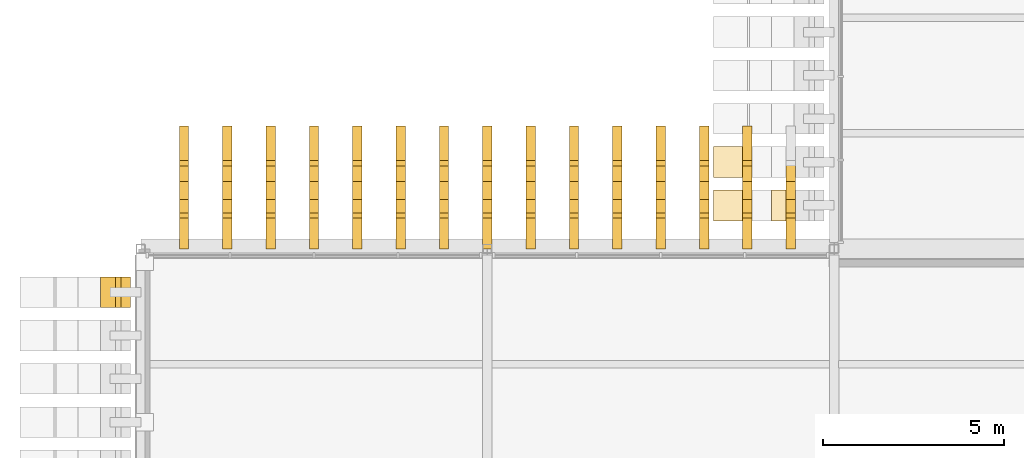
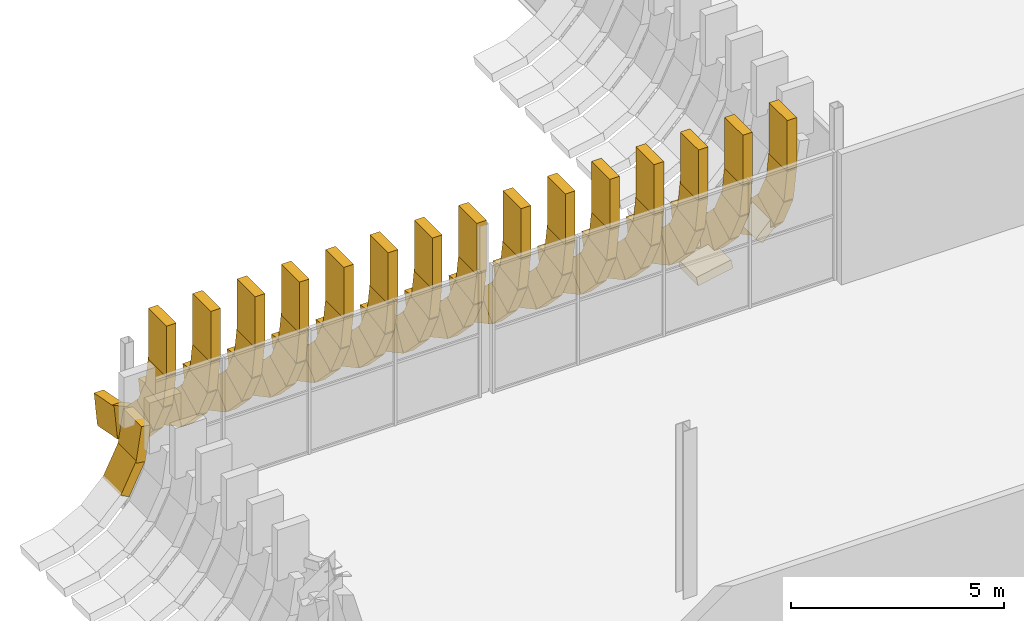
# One storey, part 78 of 100: 94 coverings.
"""IFC4 building model written with IfcOpenShell, lengths in metres."""

from ifc_helpers import new_model, si_unit, direction, frame, origin, origin_2d, place, context, subcontext, project, spatial, rectangle, extrude, material, material_profile, profile_set, type_object, element, save


model = new_model("IFC4")

# Units and contexts
model_context = context("Model", 3, precision=1e-05, world=origin(), true_north=direction((0.0, 1.0)))
body_context = subcontext(model_context, "Body", "Model", "MODEL_VIEW")
ifc_project = project(units=[si_unit("LENGTHUNIT", "METRE"), si_unit("AREAUNIT", "SQUARE_METRE"), si_unit("VOLUMEUNIT", "CUBIC_METRE"), si_unit("PLANEANGLEUNIT", "RADIAN"), si_unit("MASSUNIT", "GRAM", prefix="KILO")], contexts=[model_context])

# Site, building, storey
site_placement = place(None, origin())
site = spatial("IfcSite", under=ifc_project, at=site_placement, CompositionType="ELEMENT")
building_placement = place(site_placement, origin())
building = spatial("IfcBuilding", under=site, at=building_placement, Name="Caelomonte Colonnade Arena", CompositionType="ELEMENT")
storey_placement = place(building_placement, origin())
storey = spatial("IfcBuildingStorey", under=building, at=storey_placement, Name="L00", CompositionType="ELEMENT", Elevation=0.0)

# Coverings
ifc_material = material(Name="Precast travertine cladding", Category="masonry")
ifc_material_profile = material_profile(ifc_material, rectangle(XDim=0.260009765625, YDim=0.85009765625, at=origin_2d()), Name="FIN260X850")
ifc_profile_set = profile_set([ifc_material_profile], Name="Precast travertine cladding")
covering_type = type_object("IfcCoveringType", Name="ENV-FN-SKIRT", PredefinedType="CLADDING", material=ifc_profile_set)
covering_1_placement = place(storey_placement, frame((-0.4140625, 85.199951171875, 3.474609375), z_axis=(-0.153076342973, 0.0, -0.988214366027), x_axis=(-0.988214366027, 0.0, 0.153076342973)))
element("IfcCovering", 1, at=covering_1_placement, inside=storey, type_object=covering_type, Name="V5 L00 splayed classical fin skirt chord 1 (1)", PredefinedType="CLADDING", context=body_context, shape_type="SweptSolid", body=[
    extrude(rectangle(XDim=0.260009765625, YDim=0.85009765625, at=origin_2d()), origin(), (0.0, 0.0, 1.0), 1.008056640625),
])
covering_2_placement = place(storey_placement, frame((-0.54150390625, 85.199951171875, 2.563232421875), z_axis=(-0.44449852268, 0.0, -0.895779584125), x_axis=(-0.895779584125, 0.0, 0.44449852268)))
element("IfcCovering", 2, at=covering_2_placement, inside=storey, type_object=covering_type, Name="V5 L00 splayed classical fin skirt chord 2 (1)", PredefinedType="CLADDING", context=body_context, shape_type="SweptSolid", body=[
    extrude(rectangle(XDim=0.260009765625, YDim=0.85009765625, at=origin_2d()), origin(), (0.0, 0.0, 1.0), 1.0078125),
])
covering_3_placement = place(storey_placement, frame((18.0, 86.821044921875, 3.360107421875), z_axis=(0.0, 0.0, 1.0), x_axis=(1.0, 0.0, 0.0)))
element("IfcCovering", 3, at=covering_3_placement, inside=storey, type_object=covering_type, Name="V5 L00 upper classical fin stem 127", PredefinedType="CLADDING", context=body_context, shape_type="SweptSolid", body=[
    extrude(rectangle(XDim=0.260009765625, YDim=0.85009765625, at=origin_2d()), origin(), (0.0, 0.0, 1.0), 1.4599609375),
])
for number, where, z_axis, x_axis, name in (
    (4, (18.0, 86.814208984375, 3.474609375), (0.0, 0.15283979596, -0.988250978634), (-1.0, 0.0, 0.0), "V5 L00 splayed classical fin skirt chord 1 (127)"),
    (5, (18.0, 86.94140625, 2.563232421875), (0.0, 0.444692864571, -0.89568312265), (-1.0, 0.0, 0.0), "V5 L00 splayed classical fin skirt chord 2 (127)"),
    (6, (18.0, 87.33837890625, 1.733154296875), (0.0, 0.694646381209, -0.71935137803), (-1.0, 0.0, 0.0), "V5 L00 splayed classical fin skirt chord 3 (127)"),
    (7, (18.0, 87.967529296875, 1.061767578125), (0.0, 0.879731158529, -0.475471438379), (-1.0, 0.0, 0.0), "V5 L00 splayed classical fin skirt chord 4 (127)"),
):
    element("IfcCovering", number, at=place(storey_placement, frame(where, z_axis=z_axis, x_axis=x_axis)), inside=storey, type_object=covering_type, Name=name, PredefinedType="CLADDING", context=body_context, shape_type="SweptSolid", body=[
        extrude(rectangle(XDim=0.260009765625, YDim=0.85009765625, at=origin_2d()), origin(), (0.0, 0.0, 1.0), 1.008056640625),
    ])
covering_4_placement = place(storey_placement, frame((16.800048828125, 86.821044921875, 3.360107421875), z_axis=(0.0, 0.0, 1.0), x_axis=(1.0, 0.0, 0.0)))
element("IfcCovering", 8, at=covering_4_placement, inside=storey, type_object=covering_type, Name="V5 L00 upper classical fin stem 128", PredefinedType="CLADDING", context=body_context, shape_type="SweptSolid", body=[
    extrude(rectangle(XDim=0.260009765625, YDim=0.85009765625, at=origin_2d()), origin(), (0.0, 0.0, 1.0), 1.4599609375),
])
for number, where, z_axis, x_axis, name in (
    (9, (16.800048828125, 86.814208984375, 3.474609375), (0.0, 0.15283979596, -0.988250978634), (-1.0, 0.0, 0.0), "V5 L00 splayed classical fin skirt chord 1 (128)"),
    (10, (16.800048828125, 86.94140625, 2.563232421875), (0.0, 0.444692864571, -0.89568312265), (-1.0, 0.0, 0.0), "V5 L00 splayed classical fin skirt chord 2 (128)"),
    (11, (16.800048828125, 87.33837890625, 1.733154296875), (0.0, 0.694646381209, -0.71935137803), (-1.0, 0.0, 0.0), "V5 L00 splayed classical fin skirt chord 3 (128)"),
    (12, (16.800048828125, 87.967529296875, 1.061767578125), (0.0, 0.879731158529, -0.475471438379), (-1.0, 0.0, 0.0), "V5 L00 splayed classical fin skirt chord 4 (128)"),
):
    element("IfcCovering", number, at=place(storey_placement, frame(where, z_axis=z_axis, x_axis=x_axis)), inside=storey, type_object=covering_type, Name=name, PredefinedType="CLADDING", context=body_context, shape_type="SweptSolid", body=[
        extrude(rectangle(XDim=0.260009765625, YDim=0.85009765625, at=origin_2d()), origin(), (0.0, 0.0, 1.0), 1.008056640625),
    ])
covering_5_placement = place(storey_placement, frame((16.800048828125, 88.7705078125, 0.6123046875), z_axis=(0.0, 0.982287485173, -0.187380085582), x_axis=(-1.0, 0.0, 0.0)))
element("IfcCovering", 13, at=covering_5_placement, inside=storey, type_object=covering_type, Name="V5 L00 splayed classical fin skirt chord 5 (128)", PredefinedType="CLADDING", context=body_context, shape_type="SweptSolid", body=[
    extrude(rectangle(XDim=0.260009765625, YDim=0.85009765625, at=origin_2d()), origin(), (0.0, 0.0, 1.0), 0.962890625),
])
covering_6_placement = place(storey_placement, frame((15.60009765625, 86.821044921875, 3.360107421875), z_axis=(0.0, 0.0, 1.0), x_axis=(1.0, 0.0, 0.0)))
element("IfcCovering", 14, at=covering_6_placement, inside=storey, type_object=covering_type, Name="V5 L00 upper classical fin stem 129", PredefinedType="CLADDING", context=body_context, shape_type="SweptSolid", body=[
    extrude(rectangle(XDim=0.260009765625, YDim=0.85009765625, at=origin_2d()), origin(), (0.0, 0.0, 1.0), 1.4599609375),
])
for number, where, z_axis, x_axis, name in (
    (15, (15.60009765625, 86.814208984375, 3.474609375), (0.0, 0.15283979596, -0.988250978634), (-1.0, 0.0, 0.0), "V5 L00 splayed classical fin skirt chord 1 (129)"),
    (16, (15.60009765625, 86.94140625, 2.563232421875), (0.0, 0.444692864571, -0.89568312265), (-1.0, 0.0, 0.0), "V5 L00 splayed classical fin skirt chord 2 (129)"),
    (17, (15.60009765625, 87.33837890625, 1.733154296875), (0.0, 0.694646381209, -0.71935137803), (-1.0, 0.0, 0.0), "V5 L00 splayed classical fin skirt chord 3 (129)"),
    (18, (15.60009765625, 87.967529296875, 1.061767578125), (0.0, 0.879731158529, -0.475471438379), (-1.0, 0.0, 0.0), "V5 L00 splayed classical fin skirt chord 4 (129)"),
):
    element("IfcCovering", number, at=place(storey_placement, frame(where, z_axis=z_axis, x_axis=x_axis)), inside=storey, type_object=covering_type, Name=name, PredefinedType="CLADDING", context=body_context, shape_type="SweptSolid", body=[
        extrude(rectangle(XDim=0.260009765625, YDim=0.85009765625, at=origin_2d()), origin(), (0.0, 0.0, 1.0), 1.008056640625),
    ])
covering_7_placement = place(storey_placement, frame((15.60009765625, 88.7705078125, 0.6123046875), z_axis=(0.0, 0.982287485173, -0.187380085582), x_axis=(-1.0, 0.0, 0.0)))
element("IfcCovering", 19, at=covering_7_placement, inside=storey, type_object=covering_type, Name="V5 L00 splayed classical fin skirt chord 5 (129)", PredefinedType="CLADDING", context=body_context, shape_type="SweptSolid", body=[
    extrude(rectangle(XDim=0.260009765625, YDim=0.85009765625, at=origin_2d()), origin(), (0.0, 0.0, 1.0), 0.962890625),
])
covering_8_placement = place(storey_placement, frame((14.39990234375, 86.821044921875, 3.360107421875), z_axis=(0.0, 0.0, 1.0), x_axis=(1.0, 0.0, 0.0)))
element("IfcCovering", 20, at=covering_8_placement, inside=storey, type_object=covering_type, Name="V5 L00 upper classical fin stem 130", PredefinedType="CLADDING", context=body_context, shape_type="SweptSolid", body=[
    extrude(rectangle(XDim=0.260009765625, YDim=0.85009765625, at=origin_2d()), origin(), (0.0, 0.0, 1.0), 1.4599609375),
])
for number, where, z_axis, x_axis, name in (
    (21, (14.39990234375, 86.814208984375, 3.474609375), (0.0, 0.15283979596, -0.988250978634), (-1.0, 0.0, 0.0), "V5 L00 splayed classical fin skirt chord 1 (130)"),
    (22, (14.39990234375, 86.94140625, 2.563232421875), (0.0, 0.444692864571, -0.89568312265), (-1.0, 0.0, 0.0), "V5 L00 splayed classical fin skirt chord 2 (130)"),
    (23, (14.39990234375, 87.33837890625, 1.733154296875), (0.0, 0.694646381209, -0.71935137803), (-1.0, 0.0, 0.0), "V5 L00 splayed classical fin skirt chord 3 (130)"),
    (24, (14.39990234375, 87.967529296875, 1.061767578125), (0.0, 0.879731158529, -0.475471438379), (-1.0, 0.0, 0.0), "V5 L00 splayed classical fin skirt chord 4 (130)"),
):
    element("IfcCovering", number, at=place(storey_placement, frame(where, z_axis=z_axis, x_axis=x_axis)), inside=storey, type_object=covering_type, Name=name, PredefinedType="CLADDING", context=body_context, shape_type="SweptSolid", body=[
        extrude(rectangle(XDim=0.260009765625, YDim=0.85009765625, at=origin_2d()), origin(), (0.0, 0.0, 1.0), 1.008056640625),
    ])
covering_9_placement = place(storey_placement, frame((14.39990234375, 88.7705078125, 0.6123046875), z_axis=(0.0, 0.982287485173, -0.187380085582), x_axis=(-1.0, 0.0, 0.0)))
element("IfcCovering", 25, at=covering_9_placement, inside=storey, type_object=covering_type, Name="V5 L00 splayed classical fin skirt chord 5 (130)", PredefinedType="CLADDING", context=body_context, shape_type="SweptSolid", body=[
    extrude(rectangle(XDim=0.260009765625, YDim=0.85009765625, at=origin_2d()), origin(), (0.0, 0.0, 1.0), 0.962890625),
])
covering_10_placement = place(storey_placement, frame((13.199951171875, 86.821044921875, 3.360107421875), z_axis=(0.0, 0.0, 1.0), x_axis=(1.0, 0.0, 0.0)))
element("IfcCovering", 26, at=covering_10_placement, inside=storey, type_object=covering_type, Name="V5 L00 upper classical fin stem 131", PredefinedType="CLADDING", context=body_context, shape_type="SweptSolid", body=[
    extrude(rectangle(XDim=0.260009765625, YDim=0.85009765625, at=origin_2d()), origin(), (0.0, 0.0, 1.0), 1.4599609375),
])
for number, where, z_axis, x_axis, name in (
    (27, (13.199951171875, 86.814208984375, 3.474609375), (0.0, 0.15283979596, -0.988250978634), (-1.0, 0.0, 0.0), "V5 L00 splayed classical fin skirt chord 1 (131)"),
    (28, (13.199951171875, 86.94140625, 2.563232421875), (0.0, 0.444692864571, -0.89568312265), (-1.0, 0.0, 0.0), "V5 L00 splayed classical fin skirt chord 2 (131)"),
    (29, (13.199951171875, 87.33837890625, 1.733154296875), (0.0, 0.694646381209, -0.71935137803), (-1.0, 0.0, 0.0), "V5 L00 splayed classical fin skirt chord 3 (131)"),
    (30, (13.199951171875, 87.967529296875, 1.061767578125), (0.0, 0.879731158529, -0.475471438379), (-1.0, 0.0, 0.0), "V5 L00 splayed classical fin skirt chord 4 (131)"),
):
    element("IfcCovering", number, at=place(storey_placement, frame(where, z_axis=z_axis, x_axis=x_axis)), inside=storey, type_object=covering_type, Name=name, PredefinedType="CLADDING", context=body_context, shape_type="SweptSolid", body=[
        extrude(rectangle(XDim=0.260009765625, YDim=0.85009765625, at=origin_2d()), origin(), (0.0, 0.0, 1.0), 1.008056640625),
    ])
covering_11_placement = place(storey_placement, frame((13.199951171875, 88.7705078125, 0.6123046875), z_axis=(0.0, 0.982287485173, -0.187380085582), x_axis=(-1.0, 0.0, 0.0)))
element("IfcCovering", 31, at=covering_11_placement, inside=storey, type_object=covering_type, Name="V5 L00 splayed classical fin skirt chord 5 (131)", PredefinedType="CLADDING", context=body_context, shape_type="SweptSolid", body=[
    extrude(rectangle(XDim=0.260009765625, YDim=0.85009765625, at=origin_2d()), origin(), (0.0, 0.0, 1.0), 0.962890625),
])
covering_12_placement = place(storey_placement, frame((12.0, 86.821044921875, 3.360107421875), z_axis=(0.0, 0.0, 1.0), x_axis=(1.0, 0.0, 0.0)))
element("IfcCovering", 32, at=covering_12_placement, inside=storey, type_object=covering_type, Name="V5 L00 upper classical fin stem 132", PredefinedType="CLADDING", context=body_context, shape_type="SweptSolid", body=[
    extrude(rectangle(XDim=0.260009765625, YDim=0.85009765625, at=origin_2d()), origin(), (0.0, 0.0, 1.0), 1.4599609375),
])
for number, where, z_axis, x_axis, name in (
    (33, (12.0, 86.814208984375, 3.474609375), (0.0, 0.15283979596, -0.988250978634), (-1.0, 0.0, 0.0), "V5 L00 splayed classical fin skirt chord 1 (132)"),
    (34, (12.0, 86.94140625, 2.563232421875), (0.0, 0.444692864571, -0.89568312265), (-1.0, 0.0, 0.0), "V5 L00 splayed classical fin skirt chord 2 (132)"),
    (35, (12.0, 87.33837890625, 1.733154296875), (0.0, 0.694646381209, -0.71935137803), (-1.0, 0.0, 0.0), "V5 L00 splayed classical fin skirt chord 3 (132)"),
    (36, (12.0, 87.967529296875, 1.061767578125), (0.0, 0.879731158529, -0.475471438379), (-1.0, 0.0, 0.0), "V5 L00 splayed classical fin skirt chord 4 (132)"),
):
    element("IfcCovering", number, at=place(storey_placement, frame(where, z_axis=z_axis, x_axis=x_axis)), inside=storey, type_object=covering_type, Name=name, PredefinedType="CLADDING", context=body_context, shape_type="SweptSolid", body=[
        extrude(rectangle(XDim=0.260009765625, YDim=0.85009765625, at=origin_2d()), origin(), (0.0, 0.0, 1.0), 1.008056640625),
    ])
covering_13_placement = place(storey_placement, frame((12.0, 88.7705078125, 0.6123046875), z_axis=(0.0, 0.982287485173, -0.187380085582), x_axis=(-1.0, 0.0, 0.0)))
element("IfcCovering", 37, at=covering_13_placement, inside=storey, type_object=covering_type, Name="V5 L00 splayed classical fin skirt chord 5 (132)", PredefinedType="CLADDING", context=body_context, shape_type="SweptSolid", body=[
    extrude(rectangle(XDim=0.260009765625, YDim=0.85009765625, at=origin_2d()), origin(), (0.0, 0.0, 1.0), 0.962890625),
])
covering_14_placement = place(storey_placement, frame((10.800048828125, 86.821044921875, 3.360107421875), z_axis=(0.0, 0.0, 1.0), x_axis=(1.0, 0.0, 0.0)))
element("IfcCovering", 38, at=covering_14_placement, inside=storey, type_object=covering_type, Name="V5 L00 upper classical fin stem 133", PredefinedType="CLADDING", context=body_context, shape_type="SweptSolid", body=[
    extrude(rectangle(XDim=0.260009765625, YDim=0.85009765625, at=origin_2d()), origin(), (0.0, 0.0, 1.0), 1.4599609375),
])
for number, where, z_axis, x_axis, name in (
    (39, (10.800048828125, 86.814208984375, 3.474609375), (0.0, 0.15283979596, -0.988250978634), (-1.0, 0.0, 0.0), "V5 L00 splayed classical fin skirt chord 1 (133)"),
    (40, (10.800048828125, 86.94140625, 2.563232421875), (0.0, 0.444692864571, -0.89568312265), (-1.0, 0.0, 0.0), "V5 L00 splayed classical fin skirt chord 2 (133)"),
    (41, (10.800048828125, 87.33837890625, 1.733154296875), (0.0, 0.694646381209, -0.71935137803), (-1.0, 0.0, 0.0), "V5 L00 splayed classical fin skirt chord 3 (133)"),
    (42, (10.800048828125, 87.967529296875, 1.061767578125), (0.0, 0.879731158529, -0.475471438379), (-1.0, 0.0, 0.0), "V5 L00 splayed classical fin skirt chord 4 (133)"),
):
    element("IfcCovering", number, at=place(storey_placement, frame(where, z_axis=z_axis, x_axis=x_axis)), inside=storey, type_object=covering_type, Name=name, PredefinedType="CLADDING", context=body_context, shape_type="SweptSolid", body=[
        extrude(rectangle(XDim=0.260009765625, YDim=0.85009765625, at=origin_2d()), origin(), (0.0, 0.0, 1.0), 1.008056640625),
    ])
covering_15_placement = place(storey_placement, frame((10.800048828125, 88.7705078125, 0.6123046875), z_axis=(0.0, 0.982287485173, -0.187380085582), x_axis=(-1.0, 0.0, 0.0)))
element("IfcCovering", 43, at=covering_15_placement, inside=storey, type_object=covering_type, Name="V5 L00 splayed classical fin skirt chord 5 (133)", PredefinedType="CLADDING", context=body_context, shape_type="SweptSolid", body=[
    extrude(rectangle(XDim=0.260009765625, YDim=0.85009765625, at=origin_2d()), origin(), (0.0, 0.0, 1.0), 0.962890625),
])
covering_16_placement = place(storey_placement, frame((9.60009765625, 86.821044921875, 3.360107421875), z_axis=(0.0, 0.0, 1.0), x_axis=(1.0, 0.0, 0.0)))
element("IfcCovering", 44, at=covering_16_placement, inside=storey, type_object=covering_type, Name="V5 L00 upper classical fin stem 134", PredefinedType="CLADDING", context=body_context, shape_type="SweptSolid", body=[
    extrude(rectangle(XDim=0.260009765625, YDim=0.85009765625, at=origin_2d()), origin(), (0.0, 0.0, 1.0), 1.4599609375),
])
for number, where, z_axis, x_axis, name in (
    (45, (9.60009765625, 86.814208984375, 3.474609375), (0.0, 0.15283979596, -0.988250978634), (-1.0, 0.0, 0.0), "V5 L00 splayed classical fin skirt chord 1 (134)"),
    (46, (9.60009765625, 86.94140625, 2.563232421875), (0.0, 0.444692864571, -0.89568312265), (-1.0, 0.0, 0.0), "V5 L00 splayed classical fin skirt chord 2 (134)"),
    (47, (9.60009765625, 87.33837890625, 1.733154296875), (0.0, 0.694646381209, -0.71935137803), (-1.0, 0.0, 0.0), "V5 L00 splayed classical fin skirt chord 3 (134)"),
    (48, (9.60009765625, 87.967529296875, 1.061767578125), (0.0, 0.879731158529, -0.475471438379), (-1.0, 0.0, 0.0), "V5 L00 splayed classical fin skirt chord 4 (134)"),
):
    element("IfcCovering", number, at=place(storey_placement, frame(where, z_axis=z_axis, x_axis=x_axis)), inside=storey, type_object=covering_type, Name=name, PredefinedType="CLADDING", context=body_context, shape_type="SweptSolid", body=[
        extrude(rectangle(XDim=0.260009765625, YDim=0.85009765625, at=origin_2d()), origin(), (0.0, 0.0, 1.0), 1.008056640625),
    ])
covering_17_placement = place(storey_placement, frame((9.60009765625, 88.7705078125, 0.6123046875), z_axis=(0.0, 0.982287485173, -0.187380085582), x_axis=(-1.0, 0.0, 0.0)))
element("IfcCovering", 49, at=covering_17_placement, inside=storey, type_object=covering_type, Name="V5 L00 splayed classical fin skirt chord 5 (134)", PredefinedType="CLADDING", context=body_context, shape_type="SweptSolid", body=[
    extrude(rectangle(XDim=0.260009765625, YDim=0.85009765625, at=origin_2d()), origin(), (0.0, 0.0, 1.0), 0.962890625),
])
covering_18_placement = place(storey_placement, frame((8.39990234375, 86.821044921875, 3.360107421875), z_axis=(0.0, 0.0, 1.0), x_axis=(1.0, 0.0, 0.0)))
element("IfcCovering", 50, at=covering_18_placement, inside=storey, type_object=covering_type, Name="V5 L00 upper classical fin stem 135", PredefinedType="CLADDING", context=body_context, shape_type="SweptSolid", body=[
    extrude(rectangle(XDim=0.260009765625, YDim=0.85009765625, at=origin_2d()), origin(), (0.0, 0.0, 1.0), 1.4599609375),
])
for number, where, z_axis, x_axis, name in (
    (51, (8.39990234375, 86.814208984375, 3.474609375), (0.0, 0.15283979596, -0.988250978634), (-1.0, 0.0, 0.0), "V5 L00 splayed classical fin skirt chord 1 (135)"),
    (52, (8.39990234375, 86.94140625, 2.563232421875), (0.0, 0.444692864571, -0.89568312265), (-1.0, 0.0, 0.0), "V5 L00 splayed classical fin skirt chord 2 (135)"),
    (53, (8.39990234375, 87.33837890625, 1.733154296875), (0.0, 0.694646381209, -0.71935137803), (-1.0, 0.0, 0.0), "V5 L00 splayed classical fin skirt chord 3 (135)"),
    (54, (8.39990234375, 87.967529296875, 1.061767578125), (0.0, 0.879731158529, -0.475471438379), (-1.0, 0.0, 0.0), "V5 L00 splayed classical fin skirt chord 4 (135)"),
):
    element("IfcCovering", number, at=place(storey_placement, frame(where, z_axis=z_axis, x_axis=x_axis)), inside=storey, type_object=covering_type, Name=name, PredefinedType="CLADDING", context=body_context, shape_type="SweptSolid", body=[
        extrude(rectangle(XDim=0.260009765625, YDim=0.85009765625, at=origin_2d()), origin(), (0.0, 0.0, 1.0), 1.008056640625),
    ])
covering_19_placement = place(storey_placement, frame((8.39990234375, 88.7705078125, 0.6123046875), z_axis=(0.0, 0.982287485173, -0.187380085582), x_axis=(-1.0, 0.0, 0.0)))
element("IfcCovering", 55, at=covering_19_placement, inside=storey, type_object=covering_type, Name="V5 L00 splayed classical fin skirt chord 5 (135)", PredefinedType="CLADDING", context=body_context, shape_type="SweptSolid", body=[
    extrude(rectangle(XDim=0.260009765625, YDim=0.85009765625, at=origin_2d()), origin(), (0.0, 0.0, 1.0), 0.962890625),
])
covering_20_placement = place(storey_placement, frame((7.199951171875, 86.821044921875, 3.360107421875), z_axis=(0.0, 0.0, 1.0), x_axis=(1.0, 0.0, 0.0)))
element("IfcCovering", 56, at=covering_20_placement, inside=storey, type_object=covering_type, Name="V5 L00 upper classical fin stem 136", PredefinedType="CLADDING", context=body_context, shape_type="SweptSolid", body=[
    extrude(rectangle(XDim=0.260009765625, YDim=0.85009765625, at=origin_2d()), origin(), (0.0, 0.0, 1.0), 1.4599609375),
])
for number, where, z_axis, x_axis, name in (
    (57, (7.199951171875, 86.814208984375, 3.474609375), (0.0, 0.15283979596, -0.988250978634), (-1.0, 0.0, 0.0), "V5 L00 splayed classical fin skirt chord 1 (136)"),
    (58, (7.199951171875, 86.94140625, 2.563232421875), (0.0, 0.444692864571, -0.89568312265), (-1.0, 0.0, 0.0), "V5 L00 splayed classical fin skirt chord 2 (136)"),
    (59, (7.199951171875, 87.33837890625, 1.733154296875), (0.0, 0.694646381209, -0.71935137803), (-1.0, 0.0, 0.0), "V5 L00 splayed classical fin skirt chord 3 (136)"),
    (60, (7.199951171875, 87.967529296875, 1.061767578125), (0.0, 0.879731158529, -0.475471438379), (-1.0, 0.0, 0.0), "V5 L00 splayed classical fin skirt chord 4 (136)"),
):
    element("IfcCovering", number, at=place(storey_placement, frame(where, z_axis=z_axis, x_axis=x_axis)), inside=storey, type_object=covering_type, Name=name, PredefinedType="CLADDING", context=body_context, shape_type="SweptSolid", body=[
        extrude(rectangle(XDim=0.260009765625, YDim=0.85009765625, at=origin_2d()), origin(), (0.0, 0.0, 1.0), 1.008056640625),
    ])
covering_21_placement = place(storey_placement, frame((7.199951171875, 88.7705078125, 0.6123046875), z_axis=(0.0, 0.982287485173, -0.187380085582), x_axis=(-1.0, 0.0, 0.0)))
element("IfcCovering", 61, at=covering_21_placement, inside=storey, type_object=covering_type, Name="V5 L00 splayed classical fin skirt chord 5 (136)", PredefinedType="CLADDING", context=body_context, shape_type="SweptSolid", body=[
    extrude(rectangle(XDim=0.260009765625, YDim=0.85009765625, at=origin_2d()), origin(), (0.0, 0.0, 1.0), 0.962890625),
])
covering_22_placement = place(storey_placement, frame((6.0, 86.821044921875, 3.360107421875), z_axis=(0.0, 0.0, 1.0), x_axis=(1.0, 0.0, 0.0)))
element("IfcCovering", 62, at=covering_22_placement, inside=storey, type_object=covering_type, Name="V5 L00 upper classical fin stem 137", PredefinedType="CLADDING", context=body_context, shape_type="SweptSolid", body=[
    extrude(rectangle(XDim=0.260009765625, YDim=0.85009765625, at=origin_2d()), origin(), (0.0, 0.0, 1.0), 1.4599609375),
])
for number, where, z_axis, x_axis, name in (
    (63, (6.0, 86.814208984375, 3.474609375), (0.0, 0.15283979596, -0.988250978634), (-1.0, 0.0, 0.0), "V5 L00 splayed classical fin skirt chord 1 (137)"),
    (64, (6.0, 86.94140625, 2.563232421875), (0.0, 0.444692864571, -0.89568312265), (-1.0, 0.0, 0.0), "V5 L00 splayed classical fin skirt chord 2 (137)"),
    (65, (6.0, 87.33837890625, 1.733154296875), (0.0, 0.694646381209, -0.71935137803), (-1.0, 0.0, 0.0), "V5 L00 splayed classical fin skirt chord 3 (137)"),
    (66, (6.0, 87.967529296875, 1.061767578125), (0.0, 0.879731158529, -0.475471438379), (-1.0, 0.0, 0.0), "V5 L00 splayed classical fin skirt chord 4 (137)"),
):
    element("IfcCovering", number, at=place(storey_placement, frame(where, z_axis=z_axis, x_axis=x_axis)), inside=storey, type_object=covering_type, Name=name, PredefinedType="CLADDING", context=body_context, shape_type="SweptSolid", body=[
        extrude(rectangle(XDim=0.260009765625, YDim=0.85009765625, at=origin_2d()), origin(), (0.0, 0.0, 1.0), 1.008056640625),
    ])
covering_23_placement = place(storey_placement, frame((6.0, 88.7705078125, 0.6123046875), z_axis=(0.0, 0.982287485173, -0.187380085582), x_axis=(-1.0, 0.0, 0.0)))
element("IfcCovering", 67, at=covering_23_placement, inside=storey, type_object=covering_type, Name="V5 L00 splayed classical fin skirt chord 5 (137)", PredefinedType="CLADDING", context=body_context, shape_type="SweptSolid", body=[
    extrude(rectangle(XDim=0.260009765625, YDim=0.85009765625, at=origin_2d()), origin(), (0.0, 0.0, 1.0), 0.962890625),
])
covering_24_placement = place(storey_placement, frame((4.800048828125, 86.821044921875, 3.360107421875), z_axis=(0.0, 0.0, 1.0), x_axis=(1.0, 0.0, 0.0)))
element("IfcCovering", 68, at=covering_24_placement, inside=storey, type_object=covering_type, Name="V5 L00 upper classical fin stem 138", PredefinedType="CLADDING", context=body_context, shape_type="SweptSolid", body=[
    extrude(rectangle(XDim=0.260009765625, YDim=0.85009765625, at=origin_2d()), origin(), (0.0, 0.0, 1.0), 1.4599609375),
])
for number, where, z_axis, x_axis, name in (
    (69, (4.800048828125, 86.814208984375, 3.474609375), (0.0, 0.15283979596, -0.988250978634), (-1.0, 0.0, 0.0), "V5 L00 splayed classical fin skirt chord 1 (138)"),
    (70, (4.800048828125, 86.94140625, 2.563232421875), (0.0, 0.444692864571, -0.89568312265), (-1.0, 0.0, 0.0), "V5 L00 splayed classical fin skirt chord 2 (138)"),
    (71, (4.800048828125, 87.33837890625, 1.733154296875), (0.0, 0.694646381209, -0.71935137803), (-1.0, 0.0, 0.0), "V5 L00 splayed classical fin skirt chord 3 (138)"),
    (72, (4.800048828125, 87.967529296875, 1.061767578125), (0.0, 0.879731158529, -0.475471438379), (-1.0, 0.0, 0.0), "V5 L00 splayed classical fin skirt chord 4 (138)"),
):
    element("IfcCovering", number, at=place(storey_placement, frame(where, z_axis=z_axis, x_axis=x_axis)), inside=storey, type_object=covering_type, Name=name, PredefinedType="CLADDING", context=body_context, shape_type="SweptSolid", body=[
        extrude(rectangle(XDim=0.260009765625, YDim=0.85009765625, at=origin_2d()), origin(), (0.0, 0.0, 1.0), 1.008056640625),
    ])
covering_25_placement = place(storey_placement, frame((4.800048828125, 88.7705078125, 0.6123046875), z_axis=(0.0, 0.982287485173, -0.187380085582), x_axis=(-1.0, 0.0, 0.0)))
element("IfcCovering", 73, at=covering_25_placement, inside=storey, type_object=covering_type, Name="V5 L00 splayed classical fin skirt chord 5 (138)", PredefinedType="CLADDING", context=body_context, shape_type="SweptSolid", body=[
    extrude(rectangle(XDim=0.260009765625, YDim=0.85009765625, at=origin_2d()), origin(), (0.0, 0.0, 1.0), 0.962890625),
])
covering_26_placement = place(storey_placement, frame((3.60009765625, 86.821044921875, 3.360107421875), z_axis=(0.0, 0.0, 1.0), x_axis=(1.0, 0.0, 0.0)))
element("IfcCovering", 74, at=covering_26_placement, inside=storey, type_object=covering_type, Name="V5 L00 upper classical fin stem 139", PredefinedType="CLADDING", context=body_context, shape_type="SweptSolid", body=[
    extrude(rectangle(XDim=0.260009765625, YDim=0.85009765625, at=origin_2d()), origin(), (0.0, 0.0, 1.0), 1.4599609375),
])
for number, where, z_axis, x_axis, name in (
    (75, (3.60009765625, 86.814208984375, 3.474609375), (0.0, 0.15283979596, -0.988250978634), (-1.0, 0.0, 0.0), "V5 L00 splayed classical fin skirt chord 1 (139)"),
    (76, (3.60009765625, 86.94140625, 2.563232421875), (0.0, 0.444692864571, -0.89568312265), (-1.0, 0.0, 0.0), "V5 L00 splayed classical fin skirt chord 2 (139)"),
    (77, (3.60009765625, 87.33837890625, 1.733154296875), (0.0, 0.694646381209, -0.71935137803), (-1.0, 0.0, 0.0), "V5 L00 splayed classical fin skirt chord 3 (139)"),
    (78, (3.60009765625, 87.967529296875, 1.061767578125), (0.0, 0.879731158529, -0.475471438379), (-1.0, 0.0, 0.0), "V5 L00 splayed classical fin skirt chord 4 (139)"),
):
    element("IfcCovering", number, at=place(storey_placement, frame(where, z_axis=z_axis, x_axis=x_axis)), inside=storey, type_object=covering_type, Name=name, PredefinedType="CLADDING", context=body_context, shape_type="SweptSolid", body=[
        extrude(rectangle(XDim=0.260009765625, YDim=0.85009765625, at=origin_2d()), origin(), (0.0, 0.0, 1.0), 1.008056640625),
    ])
covering_27_placement = place(storey_placement, frame((3.60009765625, 88.7705078125, 0.6123046875), z_axis=(0.0, 0.982287485173, -0.187380085582), x_axis=(-1.0, 0.0, 0.0)))
element("IfcCovering", 79, at=covering_27_placement, inside=storey, type_object=covering_type, Name="V5 L00 splayed classical fin skirt chord 5 (139)", PredefinedType="CLADDING", context=body_context, shape_type="SweptSolid", body=[
    extrude(rectangle(XDim=0.260009765625, YDim=0.85009765625, at=origin_2d()), origin(), (0.0, 0.0, 1.0), 0.962890625),
])
covering_28_placement = place(storey_placement, frame((2.39990234375, 86.821044921875, 3.360107421875), z_axis=(0.0, 0.0, 1.0), x_axis=(1.0, 0.0, 0.0)))
element("IfcCovering", 80, at=covering_28_placement, inside=storey, type_object=covering_type, Name="V5 L00 upper classical fin stem 140", PredefinedType="CLADDING", context=body_context, shape_type="SweptSolid", body=[
    extrude(rectangle(XDim=0.260009765625, YDim=0.85009765625, at=origin_2d()), origin(), (0.0, 0.0, 1.0), 1.4599609375),
])
for number, where, z_axis, x_axis, name in (
    (81, (2.39990234375, 86.814208984375, 3.474609375), (0.0, 0.15283979596, -0.988250978634), (-1.0, 0.0, 0.0), "V5 L00 splayed classical fin skirt chord 1 (140)"),
    (82, (2.39990234375, 86.94140625, 2.563232421875), (0.0, 0.444692864571, -0.89568312265), (-1.0, 0.0, 0.0), "V5 L00 splayed classical fin skirt chord 2 (140)"),
    (83, (2.39990234375, 87.33837890625, 1.733154296875), (0.0, 0.694646381209, -0.71935137803), (-1.0, 0.0, 0.0), "V5 L00 splayed classical fin skirt chord 3 (140)"),
    (84, (2.39990234375, 87.967529296875, 1.061767578125), (0.0, 0.879731158529, -0.475471438379), (-1.0, 0.0, 0.0), "V5 L00 splayed classical fin skirt chord 4 (140)"),
):
    element("IfcCovering", number, at=place(storey_placement, frame(where, z_axis=z_axis, x_axis=x_axis)), inside=storey, type_object=covering_type, Name=name, PredefinedType="CLADDING", context=body_context, shape_type="SweptSolid", body=[
        extrude(rectangle(XDim=0.260009765625, YDim=0.85009765625, at=origin_2d()), origin(), (0.0, 0.0, 1.0), 1.008056640625),
    ])
covering_29_placement = place(storey_placement, frame((2.39990234375, 88.7705078125, 0.6123046875), z_axis=(0.0, 0.982287485173, -0.187380085582), x_axis=(-1.0, 0.0, 0.0)))
element("IfcCovering", 85, at=covering_29_placement, inside=storey, type_object=covering_type, Name="V5 L00 splayed classical fin skirt chord 5 (140)", PredefinedType="CLADDING", context=body_context, shape_type="SweptSolid", body=[
    extrude(rectangle(XDim=0.260009765625, YDim=0.85009765625, at=origin_2d()), origin(), (0.0, 0.0, 1.0), 0.962890625),
])
covering_30_placement = place(storey_placement, frame((1.199951171875, 86.821044921875, 3.360107421875), z_axis=(0.0, 0.0, 1.0), x_axis=(1.0, 0.0, 0.0)))
element("IfcCovering", 86, at=covering_30_placement, inside=storey, type_object=covering_type, Name="V5 L00 upper classical fin stem 141", PredefinedType="CLADDING", context=body_context, shape_type="SweptSolid", body=[
    extrude(rectangle(XDim=0.260009765625, YDim=0.85009765625, at=origin_2d()), origin(), (0.0, 0.0, 1.0), 1.4599609375),
])
for number, where, z_axis, x_axis, name in (
    (87, (1.199951171875, 86.814208984375, 3.474609375), (0.0, 0.15283979596, -0.988250978634), (-1.0, 0.0, 0.0), "V5 L00 splayed classical fin skirt chord 1 (141)"),
    (88, (1.199951171875, 86.94140625, 2.563232421875), (0.0, 0.444692864571, -0.89568312265), (-1.0, 0.0, 0.0), "V5 L00 splayed classical fin skirt chord 2 (141)"),
    (89, (1.199951171875, 87.33837890625, 1.733154296875), (0.0, 0.694646381209, -0.71935137803), (-1.0, 0.0, 0.0), "V5 L00 splayed classical fin skirt chord 3 (141)"),
    (90, (1.199951171875, 87.967529296875, 1.061767578125), (0.0, 0.879731158529, -0.475471438379), (-1.0, 0.0, 0.0), "V5 L00 splayed classical fin skirt chord 4 (141)"),
):
    element("IfcCovering", number, at=place(storey_placement, frame(where, z_axis=z_axis, x_axis=x_axis)), inside=storey, type_object=covering_type, Name=name, PredefinedType="CLADDING", context=body_context, shape_type="SweptSolid", body=[
        extrude(rectangle(XDim=0.260009765625, YDim=0.85009765625, at=origin_2d()), origin(), (0.0, 0.0, 1.0), 1.008056640625),
    ])
for number, where, z_axis, x_axis, name in (
    (91, (1.199951171875, 88.7705078125, 0.6123046875), (0.0, 0.982287485173, -0.187380085582), (-1.0, 0.0, 0.0), "V5 L00 splayed classical fin skirt chord 5 (141)"),
    (92, (16.82958984375, 88.800048828125, 0.6123046875), (-0.982287485173, 0.0, -0.187380085582), (-0.187380085582, 0.0, 0.982287485173), "V5D L00 splayed classical fin skirt chord 5 (48)"),
):
    element("IfcCovering", number, at=place(storey_placement, frame(where, z_axis=z_axis, x_axis=x_axis)), inside=storey, type_object=covering_type, Name=name, PredefinedType="CLADDING", context=body_context, shape_type="SweptSolid", body=[
        extrude(rectangle(XDim=0.260009765625, YDim=0.85009765625, at=origin_2d()), origin(), (0.0, 0.0, 1.0), 0.962890625),
    ])
covering_31_placement = place(storey_placement, frame((18.26171875, 87.60009765625, 1.733154296875), z_axis=(-0.694646381209, 0.0, -0.71935137803), x_axis=(-0.71935137803, 0.0, 0.694646381209)))
element("IfcCovering", 93, at=covering_31_placement, inside=storey, type_object=covering_type, Name="V5D L00 splayed classical fin skirt chord 3 (49)", PredefinedType="CLADDING", context=body_context, shape_type="SweptSolid", body=[
    extrude(rectangle(XDim=0.260009765625, YDim=0.85009765625, at=origin_2d()), origin(), (0.0, 0.0, 1.0), 1.008056640625),
])
covering_32_placement = place(storey_placement, frame((16.82958984375, 87.60009765625, 0.6123046875), z_axis=(-0.982287485173, 0.0, -0.187380085582), x_axis=(-0.187380085582, 0.0, 0.982287485173)))
element("IfcCovering", 94, at=covering_32_placement, inside=storey, type_object=covering_type, Name="V5D L00 splayed classical fin skirt chord 5 (49)", PredefinedType="CLADDING", context=body_context, shape_type="SweptSolid", body=[
    extrude(rectangle(XDim=0.260009765625, YDim=0.85009765625, at=origin_2d()), origin(), (0.0, 0.0, 1.0), 0.962890625),
])

save(model, "model.ifc")
